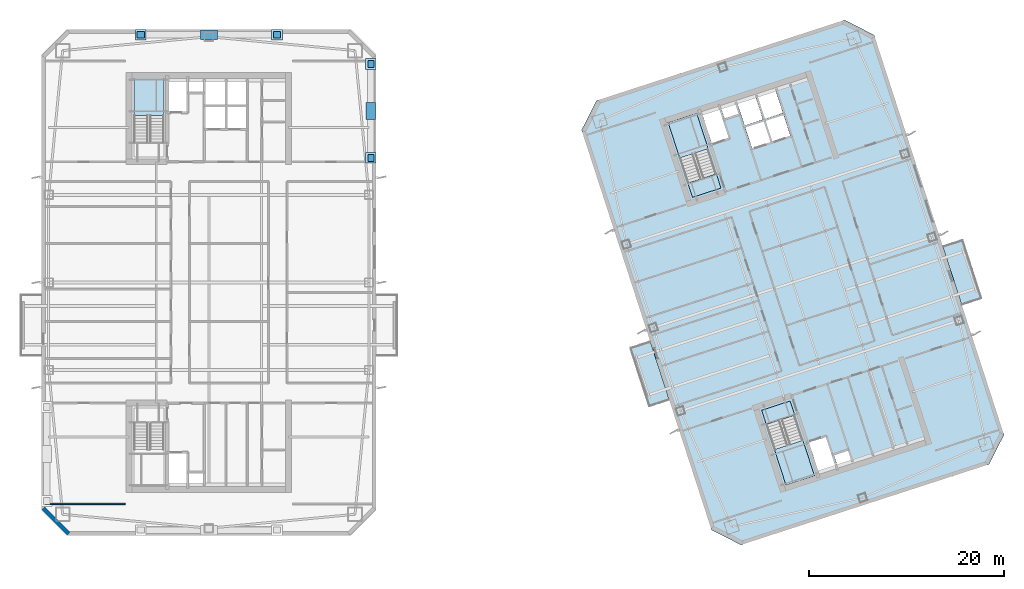
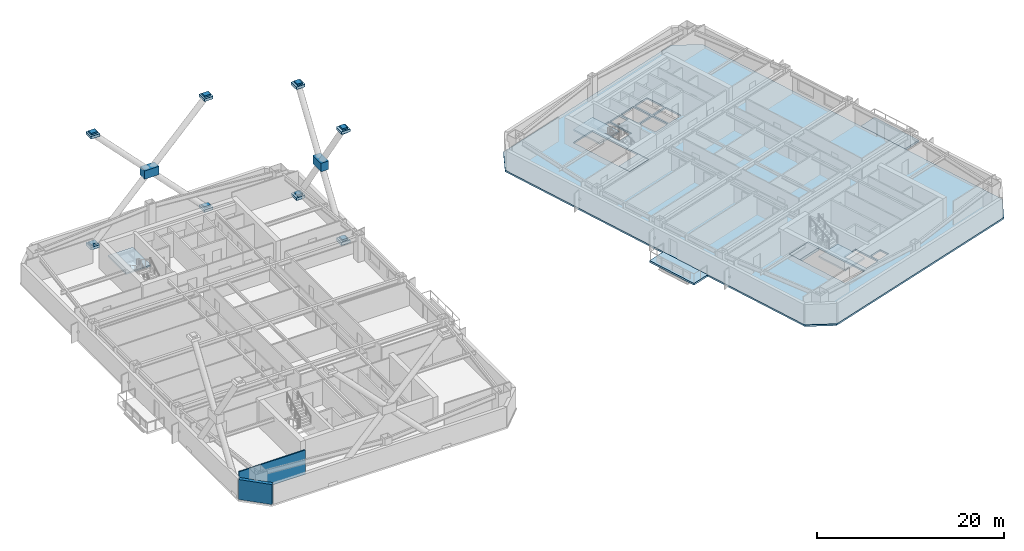
# One storey, part 5 of 18: 18 plates, 8 slabs, 2 walls, 3 elements without a shape of their own.
"""IFC4 building model written with IfcOpenShell, lengths in metres."""

from ifc_helpers import new_model, si_unit, direction, frame, frame_2d, origin, origin_2d, place, context, subcontext, project, spatial, polyline, rectangle, outline, extrude, material, layer, layer_set, type_object, element, aggregate, save


model = new_model("IFC4")

# Units and contexts
model_context = context("Model", 3, precision=1e-05, world=origin(), true_north=direction((0.0, 1.0)))
body_context = subcontext(model_context, "Body", "Model", "MODEL_VIEW")
ifc_project = project(units=[si_unit("LENGTHUNIT", "METRE"), si_unit("AREAUNIT", "SQUARE_METRE"), si_unit("VOLUMEUNIT", "CUBIC_METRE"), si_unit("PLANEANGLEUNIT", "RADIAN"), si_unit("MASSUNIT", "GRAM", prefix="KILO")], contexts=[model_context])

# Site, building, storey
site_placement = place(None, origin())
site = spatial("IfcSite", under=ifc_project, at=site_placement, CompositionType="ELEMENT")
building_placement = place(site_placement, origin())
building = spatial("IfcBuilding", under=site, at=building_placement, Name="Qiaolan Cultural Towers", CompositionType="ELEMENT")
storey_placement = place(building_placement, frame((0.0, 0.0, 173.64990234375)))
storey = spatial("IfcBuildingStorey", under=building, at=storey_placement, Name="L46", CompositionType="ELEMENT", Elevation=173.64990234375)

# Plates
ifc_material_1 = material(Name="Steel Q355B", Category="steel")
ifc_layer_1 = layer(ifc_material_1, 0.035888671875)
ifc_layer_set_1 = layer_set([ifc_layer_1], Name="Steel Q355B")
plate_type_1 = type_object("IfcPlateType", Name="PL-CONN-36", PredefinedType="USERDEFINED", material=ifc_layer_set_1)
for number, where, z_axis, x_axis, name in (
    (1, (46.64990234375, 46.800048828125, -0.2197265625), (0.0, 0.0, 1.0), (0.0, 1.0, 0.0), "L46 Brace End Connection Gusset Plate GP-02-0328"),
    (2, (46.64990234375, 56.449951171875, 14.2802734375), (0.0, 0.0, 1.0), (0.0, 1.0, 0.0), "L46 Brace End Connection Gusset Plate GP-02-0329"),
    (3, (46.64990234375, 56.449951171875, -0.2197265625), (0.0, 0.0, 1.0), (0.0, 1.0, 0.0), "L46 Brace End Connection Gusset Plate GP-02-0330"),
    (4, (46.64990234375, 46.800048828125, 14.2802734375), (0.0, 0.0, 1.0), (0.0, 1.0, 0.0), "L46 Brace End Connection Gusset Plate GP-02-0331"),
    (5, (23.0, 59.449951171875, -0.2197265625), (0.0, 0.0, 1.0), (1.0, 0.0, 0.0), "L46 Brace End Connection Gusset Plate GP-02-0336"),
    (6, (37.0, 59.449951171875, 14.2802734375), (0.0, 0.0, 1.0), (1.0, 0.0, 0.0), "L46 Brace End Connection Gusset Plate GP-02-0337"),
    (7, (37.0, 59.449951171875, -0.2197265625), (0.0, 0.0, 1.0), (1.0, 0.0, 0.0), "L46 Brace End Connection Gusset Plate GP-02-0338"),
    (8, (23.0, 59.449951171875, 14.2802734375), (0.0, 0.0, 1.0), (1.0, 0.0, 0.0), "L46 Brace End Connection Gusset Plate GP-02-0339"),
):
    element("IfcPlate", number, at=place(storey_placement, frame(where, z_axis=z_axis, x_axis=x_axis)), inside=storey, type_object=plate_type_1, Name=name, ObjectType="GUSSET_PLATE", PredefinedType="USERDEFINED", context=body_context, shape_type="SweptSolid", body=[
        extrude(rectangle(XDim=0.739990234375, YDim=0.6201171875, at=origin_2d()), origin(), (0.0, 0.0, 1.0), 0.739990234375),
    ])
ifc_material_2 = material(Name="Steel Q355B", Category="steel")
ifc_layer_2 = layer(ifc_material_2, 0.030029296875)
ifc_layer_set_2 = layer_set([ifc_layer_2], Name="Steel Q355B")
plate_type_2 = type_object("IfcPlateType", Name="PL-ENDCAP-30", PredefinedType="USERDEFINED", material=ifc_layer_set_2)
for number, where, z_axis, x_axis, name in (
    (9, (46.64990234375, 46.800048828125, -0.02490234375), (0.0, 0.0, 1.0), (0.0, 1.0, 0.0), "Hollow Brace End Seal Cap Plate CP-01"),
    (10, (46.64990234375, 56.449951171875, -0.02490234375), (0.0, 0.0, 1.0), (0.0, 1.0, 0.0), "Hollow Brace End Seal Cap Plate CP-01"),
    (11, (46.64990234375, 46.800048828125, 14.47509765625), (0.0, 0.0, 1.0), (0.0, 1.0, 0.0), "Hollow Brace End Seal Cap Plate CP-01"),
    (12, (46.64990234375, 56.449951171875, 14.47509765625), (0.0, 0.0, 1.0), (0.0, 1.0, 0.0), "Hollow Brace End Seal Cap Plate CP-01"),
    (13, (23.0, 59.449951171875, -0.02490234375), (0.0, 0.0, 1.0), (1.0, 0.0, 0.0), "Hollow Brace End Seal Cap Plate CP-01"),
    (14, (37.0, 59.449951171875, -0.02490234375), (0.0, 0.0, 1.0), (1.0, 0.0, 0.0), "Hollow Brace End Seal Cap Plate CP-01"),
    (15, (23.0, 59.449951171875, 14.47509765625), (0.0, 0.0, 1.0), (1.0, 0.0, 0.0), "Hollow Brace End Seal Cap Plate CP-01"),
    (16, (37.0, 59.449951171875, 14.47509765625), (0.0, 0.0, 1.0), (1.0, 0.0, 0.0), "Hollow Brace End Seal Cap Plate CP-01"),
):
    element("IfcPlate", number, at=place(storey_placement, frame(where, z_axis=z_axis, x_axis=x_axis)), inside=storey, type_object=plate_type_2, Name=name, ObjectType="BASE_PLATE", PredefinedType="USERDEFINED", context=body_context, shape_type="SweptSolid", body=[
        extrude(rectangle(XDim=1.10009765625, YDim=1.10009765625, at=origin_2d()), origin(), (0.0, 0.0, 1.0), 0.35009765625),
    ])
ifc_material_3 = material(Name="Steel Q390GJB", Category="steel")
ifc_layer_3 = layer(ifc_material_3, 0.0458984375)
ifc_layer_set_3 = layer_set([ifc_layer_3], Name="Steel Q390GJB")
plate_type_3 = type_object("IfcPlateType", Name="PL-NODE-ND07", PredefinedType="USERDEFINED", material=ifc_layer_set_3)
plate_1_placement = place(storey_placement, frame((46.64990234375, 51.625, 6.85009765625), z_axis=(0.0, 0.0, 1.0), x_axis=(0.0, 1.0, 0.0)))
element("IfcPlate", 17, at=plate_1_placement, inside=storey, type_object=plate_type_3, Name="Perimeter Frame Gusset Node Assembly ND-07", ObjectType="GUSSET_PLATE", PredefinedType="USERDEFINED", context=body_context, shape_type="SweptSolid", body=[
    extrude(rectangle(XDim=1.760009765625, YDim=0.9599609375, at=origin_2d()), origin(), (0.0, 0.0, 1.0), 1.10009765625),
])
ifc_material_4 = material(Name="Steel Q390GJB", Category="steel")
ifc_layer_4 = layer(ifc_material_4, 0.0419921875)
ifc_layer_set_4 = layer_set([ifc_layer_4], Name="Steel Q390GJB")
plate_type_4 = type_object("IfcPlateType", Name="PL-NODE-ND09", PredefinedType="USERDEFINED", material=ifc_layer_set_4)
plate_2_placement = place(storey_placement, frame((30.0, 59.449951171875, 6.85009765625), z_axis=(0.0, 0.0, 1.0), x_axis=(1.0, 0.0, 0.0)))
element("IfcPlate", 18, at=plate_2_placement, inside=storey, type_object=plate_type_4, Name="Perimeter Frame Gusset Node Assembly ND-09", ObjectType="GUSSET_PLATE", PredefinedType="USERDEFINED", context=body_context, shape_type="SweptSolid", body=[
    extrude(rectangle(XDim=1.760009765625, YDim=0.9599609375, at=origin_2d()), origin(), (0.0, 0.0, 1.0), 1.10009765625),
])

# Slabs
ifc_material_5 = material(Name="Concrete C45", Category="concrete")
ifc_layer_5 = layer(ifc_material_5, 0.239990234375)
ifc_layer_set_5 = layer_set([ifc_layer_5], Name="Concrete C45")
slab_type_1 = type_object("IfcSlabType", Name="SL-BAL-240", PredefinedType="FLOOR", material=ifc_layer_set_5)
slab_1_placement = place(storey_placement, frame((0.0, 0.0, -0.239990234375)))
element("IfcSlab", 19, at=slab_1_placement, inside=storey, type_object=slab_type_1, Name="L46 T2 Planted Tree Balcony W", PredefinedType="FLOOR", context=body_context, shape_type="SweptSolid", body=[
    extrude(outline(polyline([(75.2294921875, 21.209716796875), (77.32177734375, 21.889404296875), (75.34423828125, 27.976318359375), (73.251708984375, 27.29638671875), (75.2294921875, 21.209716796875)])), origin(), (0.0, 0.0, 1.0), 0.239990234375),
])
slab_2_placement = place(storey_placement, frame((0.0, 0.0, -0.239990234375)))
element("IfcSlab", 20, at=slab_2_placement, inside=storey, type_object=slab_type_1, Name="L46 T2 Planted Tree Balcony E", PredefinedType="FLOOR", context=body_context, shape_type="SweptSolid", body=[
    extrude(outline(polyline([(107.375244140625, 31.654541015625), (109.467529296875, 32.334228515625), (107.48974609375, 38.421142578125), (105.3974609375, 37.7412109375), (107.375244140625, 31.654541015625)])), origin(), (0.0, 0.0, 1.0), 0.239990234375),
])

# Stair, slab
ifc_material_6 = material(Name="Concrete C45", Category="concrete")
stair_type = type_object("IfcStairType", Name="STR-CORE-1500", PredefinedType="HALF_TURN_STAIR", material=ifc_material_6)
stair_1_placement = place(storey_placement, origin())
stair_1 = element("IfcStair", 21, at=stair_1_placement, inside=storey, type_object=stair_type, Name="L46 Smokeproof Exit Stair ST-W2", PredefinedType="HALF_TURN_STAIR")
ifc_material_7 = material(Name="Concrete C45", Category="concrete")
ifc_layer_6 = layer(ifc_material_7, 0.199951171875)
ifc_layer_set_6 = layer_set([ifc_layer_6], Name="Concrete C45")
slab_type_2 = type_object("IfcSlabType", Name="SL-STAIR-LAND", PredefinedType="LANDING", material=ifc_layer_set_6)
slab_3_placement = place(storey_placement, frame((0.0, 0.0, 1.525146484375)))
slab_3 = element("IfcSlab", 22, at=slab_3_placement, type_object=slab_type_2, Name="ST-W2 landing 1", PredefinedType="LANDING", context=body_context, shape_type="SweptSolid", body=[
    extrude(outline(polyline([(25.3798828125, 51.148681640625), (25.3798828125, 55.0), (22.300048828125, 55.0), (22.300048828125, 51.148681640625), (25.3798828125, 51.148681640625)])), origin(), (0.0, 0.0, 1.0), 0.199951171875),
])
aggregate(stair_1, [slab_3])

stair_2_placement = place(storey_placement, origin())
stair_2 = element("IfcStair", 23, at=stair_2_placement, inside=storey, type_object=stair_type, Name="L46 Smokeproof Exit Stair ST-E1", PredefinedType="HALF_TURN_STAIR")
slab_4_placement = place(storey_placement, frame((0.0, 0.0, 1.525146484375)))
slab_4 = element("IfcSlab", 24, at=slab_4_placement, type_object=slab_type_2, Name="ST-E1 landing 1", PredefinedType="LANDING", context=body_context, shape_type="SweptSolid", body=[
    extrude(outline(polyline([(88.114013671875, 16.828125), (89.30419921875, 13.165283203125), (92.2333984375, 14.116943359375), (91.04345703125, 17.77978515625), (88.114013671875, 16.828125)])), origin(), (0.0, 0.0, 1.0), 0.199951171875),
])
aggregate(stair_2, [slab_4])

stair_3_placement = place(storey_placement, origin())
stair_3 = element("IfcStair", 25, at=stair_3_placement, inside=storey, type_object=stair_type, Name="L46 Smokeproof Exit Stair ST-E2", PredefinedType="HALF_TURN_STAIR")
slab_5_placement = place(storey_placement, frame((0.0, 0.0, 1.525146484375)))
slab_5 = element("IfcSlab", 26, at=slab_5_placement, type_object=slab_type_2, Name="ST-E2 landing 1", PredefinedType="LANDING", context=body_context, shape_type="SweptSolid", body=[
    extrude(outline(polyline([(81.31005859375, 47.735595703125), (80.1201171875, 51.3984375), (77.190673828125, 50.44677734375), (78.380859375, 46.783935546875), (81.31005859375, 47.735595703125)])), origin(), (0.0, 0.0, 1.0), 0.199951171875),
])
aggregate(stair_3, [slab_5])

# Slabs
ifc_material_8 = material(Name="Concrete C40", Category="concrete")
ifc_layer_7 = layer(ifc_material_8, 0.360107421875)
ifc_layer_set_7 = layer_set([ifc_layer_7], Name="Concrete C40")
slab_type_3 = type_object("IfcSlabType", Name="SL-STFLR-360", PredefinedType="LANDING", material=ifc_layer_set_7)
slab_6_placement = place(storey_placement, frame((0.0, 0.0, -0.35986328125)))
element("IfcSlab", 27, at=slab_6_placement, inside=storey, type_object=slab_type_3, Name="L46 ST-E1 Stair Floor Landing Slab", PredefinedType="LANDING", context=body_context, shape_type="SweptSolid", body=[
    extrude(outline(polyline([(86.8037109375, 20.867431640625), (87.282470703125, 19.39404296875), (90.2080078125, 20.3447265625), (89.729248046875, 21.818115234375), (86.8037109375, 20.867431640625)])), origin(), (0.0, 0.0, 1.0), 0.35986328125),
])
slab_7_placement = place(storey_placement, frame((0.0, 0.0, -0.35986328125)))
element("IfcSlab", 28, at=slab_7_placement, inside=storey, type_object=slab_type_3, Name="L46 ST-E2 Stair Floor Landing Slab", PredefinedType="LANDING", context=body_context, shape_type="SweptSolid", body=[
    extrude(outline(polyline([(82.62060546875, 43.6962890625), (82.141845703125, 45.169677734375), (79.21630859375, 44.21923828125), (79.695068359375, 42.74560546875), (82.62060546875, 43.6962890625)])), origin(), (0.0, 0.0, 1.0), 0.35986328125),
])
ifc_material_9 = material(Name="Concrete C45", Category="concrete")
ifc_layer_8 = layer(ifc_material_9, 0.219970703125)
ifc_layer_set_8 = layer_set([ifc_layer_8], Name="Concrete C45")
slab_type_4 = type_object("IfcSlabType", Name="SL-TYP-220", PredefinedType="FLOOR", material=ifc_layer_set_8)
slab_8_placement = place(storey_placement, frame((0.0, 0.0, -0.219970703125)))
element("IfcSlab", 29, at=slab_8_placement, inside=storey, type_object=slab_type_4, Name="L46 East Tower Floor Slab", PredefinedType="FLOOR", context=body_context, shape_type="SweptSolid", body=[
    extrude(outline(polyline([(84.67236328125, 7.033935546875), (110.16064453125, 15.3154296875), (111.701416015625, 18.339599609375), (98.351806640625, 59.42529296875), (95.32763671875, 60.966064453125), (69.83935546875, 52.6845703125), (68.298583984375, 49.660400390625), (81.648193359375, 8.57470703125), (84.67236328125, 7.033935546875)]), holes=[polyline([(86.80126953125, 20.868896484375), (89.30419921875, 13.165283203125), (92.2333984375, 14.116943359375), (89.73046875, 21.820556640625), (86.80126953125, 20.868896484375)]), polyline([(82.623046875, 43.69482421875), (80.1201171875, 51.3984375), (77.190673828125, 50.44677734375), (79.69384765625, 42.7431640625), (82.623046875, 43.69482421875)]), polyline([(92.666259765625, 14.468017578125), (94.42578125, 15.03955078125), (93.42138671875, 18.130615234375), (91.661865234375, 17.558837890625), (92.666259765625, 14.468017578125)]), polyline([(94.5908203125, 15.14599609375), (96.027099609375, 15.612548828125), (95.66552734375, 16.725341796875), (94.2294921875, 16.258544921875), (94.5908203125, 15.14599609375)]), polyline([(81.6806640625, 48.278076171875), (83.440185546875, 48.849609375), (82.435791015625, 51.940673828125), (80.67626953125, 51.368896484375), (81.6806640625, 48.278076171875)]), polyline([(82.993408203125, 50.839111328125), (84.4296875, 51.3056640625), (84.068115234375, 52.41845703125), (82.632080078125, 51.95166015625), (82.993408203125, 50.839111328125)]), polyline([(85.810302734375, 47.80078125), (87.71240234375, 48.418701171875), (87.013916015625, 50.568115234375), (85.11181640625, 49.9501953125), (85.810302734375, 47.80078125)]), polyline([(87.902587890625, 48.480712890625), (89.74755859375, 49.080078125), (89.04931640625, 51.2294921875), (87.2041015625, 50.6298828125), (87.902587890625, 48.480712890625)]), polyline([(85.05322265625, 50.130859375), (86.936279296875, 50.74267578125), (86.169921875, 53.101318359375), (84.286865234375, 52.489501953125), (85.05322265625, 50.130859375)]), polyline([(87.1455078125, 50.810791015625), (88.990478515625, 51.41015625), (88.22412109375, 53.768798828125), (86.379150390625, 53.169189453125), (87.1455078125, 50.810791015625)])]), origin(), (0.0, 0.0, 1.0), 0.219970703125),
])

# Walls
ifc_material_10 = material(Name="Precast Concrete C50 Honed Stone Pier", Category="masonry")
ifc_layer_9 = layer(ifc_material_10, 0.39990234375)
ifc_layer_set_9 = layer_set([ifc_layer_9], Name="Precast Concrete C50 Honed Stone Pier")
wall_type_1 = type_object("IfcWallType", Name="WL-EXT-PIER-400", PredefinedType="SOLIDWALL", material=ifc_layer_set_9)
wall_1_placement = place(storey_placement, frame((15.60009765625, 8.199951171875, 0.0), z_axis=(0.0, 0.0, 1.0), x_axis=(-0.707106781187, 0.707106781187, 0.0)))
element("IfcWall", 30, at=wall_1_placement, inside=storey, type_object=wall_type_1, Name="L46 West Tower Precast Pier Facade Wall F8", PredefinedType="SOLIDWALL", context=body_context, shape_type="SweptSolid", body=[
    extrude(rectangle(XDim=3.677001953125, YDim=0.39990234375, at=frame_2d((1.83837890625, 0.0))), origin(), (0.0, 0.0, 1.0), 2.610107421875),
])
ifc_material_11 = material(Name="Autoclaved Aerated Concrete Block B06", Category="concrete")
ifc_layer_10 = layer(ifc_material_11, 0.14990234375)
ifc_layer_set_10 = layer_set([ifc_layer_10], Name="Autoclaved Aerated Concrete Block B06")
wall_type_2 = type_object("IfcWallType", Name="WL-PART-150", PredefinedType="PARTITIONING", material=ifc_layer_set_10)
wall_2_placement = place(storey_placement, frame((13.199951171875, 11.25, 0.0), z_axis=(0.0, 0.0, 1.0), x_axis=(1.0, 0.0, 0.0)))
element("IfcWall", 31, at=wall_2_placement, inside=storey, type_object=wall_type_2, Name="L46 T1 Flank Wall FLK-SW", PredefinedType="PARTITIONING", context=body_context, shape_type="SweptSolid", body=[
    extrude(rectangle(XDim=8.199951171875, YDim=0.14990234375, at=frame_2d((4.10009765625, 0.0))), origin(), (0.0, 0.0, 1.0), 3.175048828125),
])

save(model, "model.ifc")
